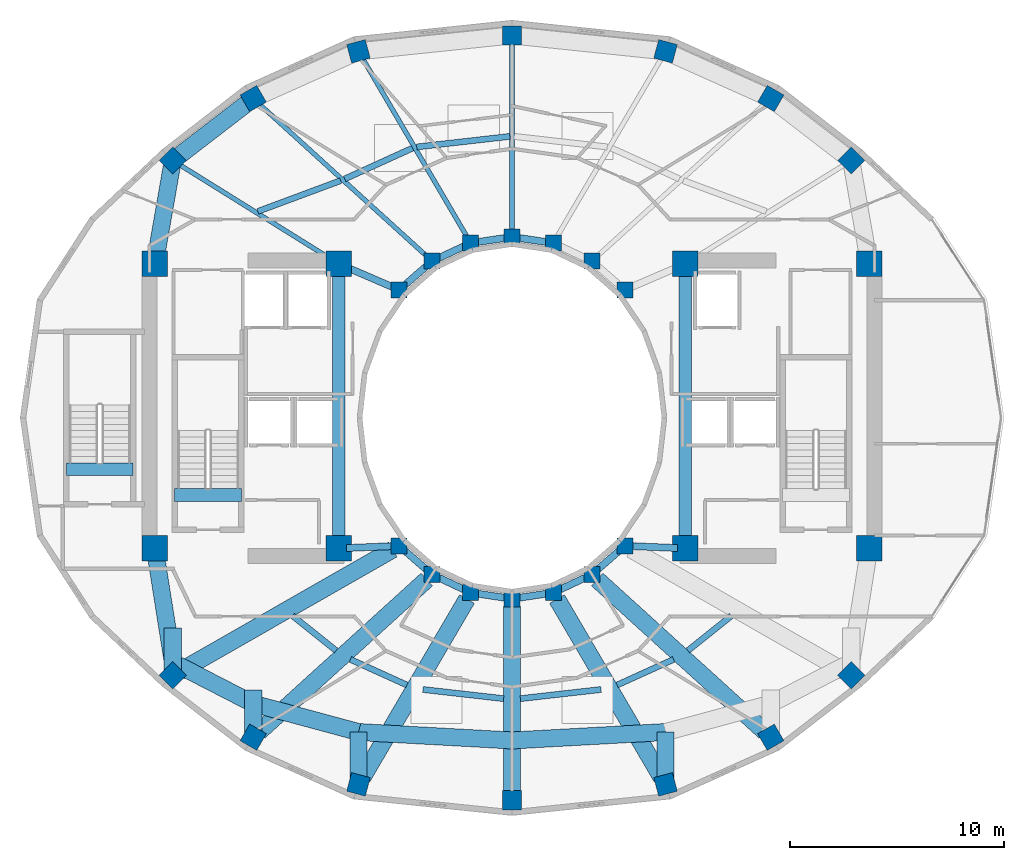
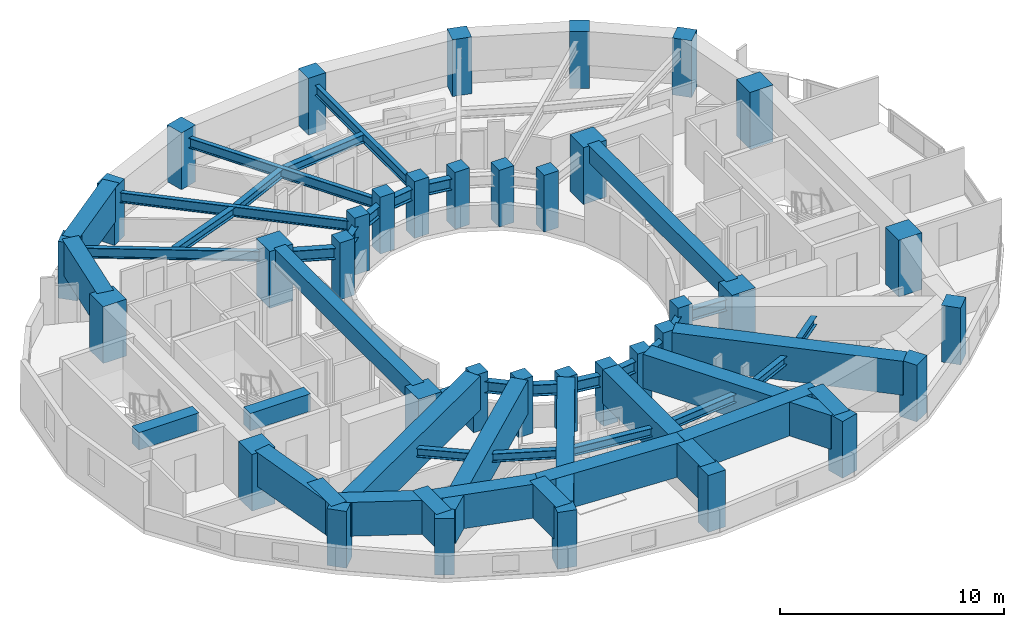
# One storey, part 1 of 13: 47 beams, 36 columns.
"""IFC4 building model written with IfcOpenShell, lengths in metres."""

from ifc_helpers import new_model, si_unit, direction, frame, origin, origin_2d, place, context, subcontext, project, spatial, rectangle, i_section, extrude, material, material_profile, profile_set, type_object, element, save


model = new_model("IFC4")

# Units and contexts
model_context = context("Model", 3, precision=1e-05, world=origin(), true_north=direction((0.0, 1.0)))
body_context = subcontext(model_context, "Body", "Model", "MODEL_VIEW")
ifc_project = project(units=[si_unit("LENGTHUNIT", "METRE"), si_unit("AREAUNIT", "SQUARE_METRE"), si_unit("VOLUMEUNIT", "CUBIC_METRE"), si_unit("PLANEANGLEUNIT", "RADIAN"), si_unit("MASSUNIT", "GRAM", prefix="KILO")], contexts=[model_context])

# Site, building, storey
site_placement = place(None, origin())
site = spatial("IfcSite", under=ifc_project, at=site_placement, CompositionType="ELEMENT")
building_placement = place(site_placement, origin())
building = spatial("IfcBuilding", under=site, at=building_placement, Name="Solvane Sanctuary Tower", CompositionType="ELEMENT")
storey_placement = place(building_placement, frame((0.0, 0.0, 149.800048828125)))
storey = spatial("IfcBuildingStorey", under=building, at=storey_placement, Name="L45", CompositionType="ELEMENT", Elevation=149.800048828125)

# Columns
ifc_material_1 = material(Name="Concrete C50/60", Category="concrete")
ifc_material_profile_1 = material_profile(ifc_material_1, rectangle(XDim=0.75, YDim=0.75, at=origin_2d()), Name="RC750X750")
ifc_profile_set_1 = profile_set([ifc_material_profile_1], Name="Concrete C50/60")
column_type_1 = type_object("IfcColumnType", Name="Column C-RING-Z3 RC750X750", PredefinedType="COLUMN", material=ifc_profile_set_1)
for number, where, z_axis, x_axis, name in (
    (1, (37.27490234375, 28.982177734375, 0.0), (0.0, 0.0, 1.0), (1.0, 0.0, 0.0), "L45 Inner Light-Well Ring Column IC01"),
    (2, (35.72998046875, 30.32666015625, 0.0), (0.0, 0.0, 1.0), (1.0, 0.0, 0.0), "L45 Inner Light-Well Ring Column IC02"),
    (3, (33.930908203125, 31.171630859375, 0.0), (0.0, 0.0, 1.0), (1.0, 0.0, 0.0), "L45 Inner Light-Well Ring Column IC03"),
    (4, (32.0, 31.4599609375, 0.0), (0.0, 0.0, 1.0), (1.0, 0.0, 0.0), "L45 Inner Light-Well Ring Column IC04"),
    (5, (30.069091796875, 31.171630859375, 0.0), (0.0, 0.0, 1.0), (1.0, 0.0, 0.0), "L45 Inner Light-Well Ring Column IC05"),
    (6, (28.27001953125, 30.32666015625, 0.0), (0.0, 0.0, 1.0), (1.0, 0.0, 0.0), "L45 Inner Light-Well Ring Column IC06"),
    (7, (26.72509765625, 28.982177734375, 0.0), (0.0, 0.0, 1.0), (1.0, 0.0, 0.0), "L45 Inner Light-Well Ring Column IC07"),
    (8, (26.72509765625, 17.017822265625, 0.0), (0.0, 0.0, 1.0), (1.0, 0.0, 0.0), "L45 Inner Light-Well Ring Column IC08"),
    (9, (28.27001953125, 15.67333984375, 0.0), (0.0, 0.0, 1.0), (1.0, 0.0, 0.0), "L45 Inner Light-Well Ring Column IC09"),
    (10, (30.069091796875, 14.828369140625, 0.0), (0.0, 0.0, 1.0), (1.0, 0.0, 0.0), "L45 Inner Light-Well Ring Column IC10"),
    (11, (32.0, 14.5400390625, 0.0), (0.0, 0.0, 1.0), (1.0, 0.0, 0.0), "L45 Inner Light-Well Ring Column IC11"),
    (12, (33.930908203125, 14.828369140625, 0.0), (0.0, 0.0, 1.0), (1.0, 0.0, 0.0), "L45 Inner Light-Well Ring Column IC12"),
    (13, (35.72998046875, 15.67333984375, 0.0), (0.0, 0.0, 1.0), (1.0, 0.0, 0.0), "L45 Inner Light-Well Ring Column IC13"),
    (14, (37.27490234375, 17.017822265625, 0.0), (0.0, 0.0, 1.0), (1.0, 0.0, 0.0), "L45 Inner Light-Well Ring Column IC14"),
):
    element("IfcColumn", number, at=place(storey_placement, frame(where, z_axis=z_axis, x_axis=x_axis)), inside=storey, type_object=column_type_1, Name=name, PredefinedType="COLUMN", context=body_context, shape_type="SweptSolid", body=[
        extrude(rectangle(XDim=0.75, YDim=0.75, at=origin_2d()), origin(), (0.0, 0.0, 1.0), 3.099853515625),
    ])
ifc_material_2 = material(Name="Concrete C70/85", Category="concrete")
ifc_material_profile_2 = material_profile(ifc_material_2, rectangle(XDim=1.199951171875, YDim=1.199951171875, at=origin_2d()), Name="RC1200X1200")
ifc_profile_set_2 = profile_set([ifc_material_profile_2], Name="Concrete C70/85")
column_type_2 = type_object("IfcColumnType", Name="Column C-TUBE-Z1 RC1200X1200", PredefinedType="COLUMN", material=ifc_profile_set_2)
for number, where, z_axis, x_axis, name in (
    (15, (15.300048828125, 16.89990234375, 0.0), (0.0, 0.0, 1.0), (1.0, 0.0, 0.0), "L45 Core Corner Column CW1"),
    (16, (23.89990234375, 16.89990234375, 0.0), (0.0, 0.0, 1.0), (1.0, 0.0, 0.0), "L45 Core Corner Column CW2"),
    (17, (23.89990234375, 30.199951171875, 0.0), (0.0, 0.0, 1.0), (1.0, 0.0, 0.0), "L45 Core Corner Column CW3"),
    (18, (15.300048828125, 30.199951171875, 0.0), (0.0, 0.0, 1.0), (1.0, 0.0, 0.0), "L45 Core Corner Column CW4"),
    (19, (40.10009765625, 16.89990234375, 0.0), (0.0, 0.0, 1.0), (1.0, 0.0, 0.0), "L45 Core Corner Column CE1"),
    (20, (48.699951171875, 16.89990234375, 0.0), (0.0, 0.0, 1.0), (1.0, 0.0, 0.0), "L45 Core Corner Column CE2"),
    (21, (48.699951171875, 30.199951171875, 0.0), (0.0, 0.0, 1.0), (1.0, 0.0, 0.0), "L45 Core Corner Column CE3"),
    (22, (40.10009765625, 30.199951171875, 0.0), (0.0, 0.0, 1.0), (1.0, 0.0, 0.0), "L45 Core Corner Column CE4"),
):
    element("IfcColumn", number, at=place(storey_placement, frame(where, z_axis=z_axis, x_axis=x_axis)), inside=storey, type_object=column_type_2, Name=name, PredefinedType="COLUMN", context=body_context, shape_type="SweptSolid", body=[
        extrude(rectangle(XDim=1.199951171875, YDim=1.199951171875, at=origin_2d()), origin(), (0.0, 0.0, 1.0), 3.099853515625),
    ])
ifc_material_3 = material(Name="Concrete C60/75", Category="concrete")
ifc_material_profile_3 = material_profile(ifc_material_3, rectangle(XDim=0.89990234375, YDim=0.89990234375, at=origin_2d()), Name="RC900X900")
ifc_profile_set_3 = profile_set([ifc_material_profile_3], Name="Concrete C60/75")
column_type_3 = type_object("IfcColumnType", Name="Column C-TUBE-Z3 RC900X900", PredefinedType="COLUMN", material=ifc_profile_set_3)
for number, where, z_axis, x_axis, name in (
    (23, (47.856689453125, 35.031005859375, 0.0), (0.0, 0.0, 1.0), (0.707106781187, 0.707106781187, 0.0), "L45 Perimeter Tube Column TC01"),
    (24, (44.09814453125, 37.927978515625, 0.0), (0.0, 0.0, 1.0), (0.5, 0.866025403784, 0.0), "L45 Perimeter Tube Column TC02"),
    (25, (39.17822265625, 40.134521484375, 0.0), (0.0, 0.0, 1.0), (0.258819045103, 0.965925826289, 0.0), "L45 Perimeter Tube Column TC03"),
    (26, (32.0, 40.8798828125, 0.0), (0.0, 0.0, 1.0), (0.0, 1.0, 0.0), "L45 Perimeter Tube Column TC04"),
    (27, (24.82177734375, 40.134521484375, 0.0), (0.0, 0.0, 1.0), (-0.258819045103, 0.965925826289, 0.0), "L45 Perimeter Tube Column TC05"),
    (28, (19.90185546875, 37.927978515625, 0.0), (0.0, 0.0, 1.0), (-0.5, 0.866025403784, 0.0), "L45 Perimeter Tube Column TC06"),
    (29, (16.143310546875, 35.031005859375, 0.0), (0.0, 0.0, 1.0), (-0.707106781187, 0.707106781187, 0.0), "L45 Perimeter Tube Column TC07"),
    (30, (16.143310546875, 10.968994140625, 0.0), (0.0, 0.0, 1.0), (-0.707106781187, -0.707106781187, 0.0), "L45 Perimeter Tube Column TC08"),
    (31, (19.90185546875, 8.072021484375, 0.0), (0.0, 0.0, 1.0), (-0.5, -0.866025403784, 0.0), "L45 Perimeter Tube Column TC09"),
    (32, (24.82177734375, 5.865478515625, 0.0), (0.0, 0.0, 1.0), (-0.258819045103, -0.965925826289, 0.0), "L45 Perimeter Tube Column TC10"),
    (33, (32.0, 5.1201171875, 0.0), (0.0, 0.0, 1.0), (0.0, -1.0, 0.0), "L45 Perimeter Tube Column TC11"),
    (34, (39.17822265625, 5.865478515625, 0.0), (0.0, 0.0, 1.0), (0.258819045103, -0.965925826289, 0.0), "L45 Perimeter Tube Column TC12"),
    (35, (44.09814453125, 8.072021484375, 0.0), (0.0, 0.0, 1.0), (0.5, -0.866025403784, 0.0), "L45 Perimeter Tube Column TC13"),
    (36, (47.856689453125, 10.968994140625, 0.0), (0.0, 0.0, 1.0), (0.707106781187, -0.707106781187, 0.0), "L45 Perimeter Tube Column TC14"),
):
    element("IfcColumn", number, at=place(storey_placement, frame(where, z_axis=z_axis, x_axis=x_axis)), inside=storey, type_object=column_type_3, Name=name, PredefinedType="COLUMN", context=body_context, shape_type="SweptSolid", body=[
        extrude(rectangle(XDim=0.89990234375, YDim=0.89990234375, at=origin_2d()), origin(), (0.0, 0.0, 1.0), 3.099853515625),
    ])

# Beams
ifc_material_profile_4 = material_profile(ifc_material_2, rectangle(XDim=0.60009765625, YDim=0.949951171875, at=origin_2d()), Name="RC600X950")
ifc_profile_set_4 = profile_set([ifc_material_profile_4], Name="Concrete C70/85")
beam_type_1 = type_object("IfcBeamType", Name="Beam B-COUPLE RC600X950", PredefinedType="LINTEL", material=ifc_profile_set_4)
for number, where, z_axis, x_axis, name in (
    (37, (23.89990234375, 17.35009765625, 2.625), (0.0, 1.0, 0.0), (-1.0, 0.0, 0.0), "L45 West Core Coupling Lintel"),
    (38, (40.10009765625, 17.35009765625, 2.625), (0.0, 1.0, 0.0), (-1.0, 0.0, 0.0), "L45 East Core Coupling Lintel"),
):
    element("IfcBeam", number, at=place(storey_placement, frame(where, z_axis=z_axis, x_axis=x_axis)), inside=storey, type_object=beam_type_1, Name=name, PredefinedType="LINTEL", context=body_context, shape_type="SweptSolid", body=[
        extrude(rectangle(XDim=0.60009765625, YDim=0.949951171875, at=origin_2d()), origin(), (0.0, 0.0, 1.0), 12.39990234375),
    ])
for number, where, z_axis, x_axis, name in (
    (39, (16.22998046875, 19.399169921875, 2.625), (1.0, 0.0, 0.0), (0.0, 1.0, 0.0), "L45 ST-1 Stair Floor Landing Trimmer"),
    (40, (11.169921875, 20.59912109375, 2.625), (1.0, 0.0, 0.0), (0.0, 1.0, 0.0), "L45 ST-3 Stair Floor Landing Trimmer"),
):
    element("IfcBeam", number, at=place(storey_placement, frame(where, z_axis=z_axis, x_axis=x_axis)), inside=storey, type_object=beam_type_1, Name=name, PredefinedType="LINTEL", context=body_context, shape_type="SweptSolid", body=[
        extrude(rectangle(XDim=0.60009765625, YDim=0.949951171875, at=origin_2d()), origin(), (0.0, 0.0, 1.0), 3.1201171875),
    ])
ifc_material_4 = material(Name="Steel ASTM A992 Grade 50", Category="steel")
ifc_material_profile_5 = material_profile(ifc_material_4, i_section(OverallWidth=0.214111328125, OverallDepth=0.549072265625, WebThickness=0.0146484375, FlangeThickness=0.023681640625, FilletRadius=0.014892578125, at=origin_2d()), Name="W21X93")
ifc_profile_set_5 = profile_set([ifc_material_profile_5], Name="Steel ASTM A992 Grade 50")
beam_type_2 = type_object("IfcBeamType", Name="Beam B-RAD-Z3 W21X93", PredefinedType="JOIST", material=ifc_profile_set_5)
beam_1_placement = place(storey_placement, frame((32.0, 31.739990234375, 2.323486328125), z_axis=(0.0, 1.0, 0.0), x_axis=(-1.0, 0.0, 0.0)))
element("IfcBeam", 41, at=beam_1_placement, inside=storey, type_object=beam_type_2, Name="L45 Radial Composite Floor Beam 04", PredefinedType="JOIST", context=body_context, shape_type="SweptSolid", body=[
    extrude(i_section(OverallWidth=0.214111328125, OverallDepth=0.549072265625, WebThickness=0.0146484375, FlangeThickness=0.023681640625, FilletRadius=0.014892578125, at=origin_2d()), origin(), (0.0, 0.0, 1.0), 8.860107421875),
])
beam_2_placement = place(storey_placement, frame((29.927734375, 31.413330078125, 2.323486328125), z_axis=(-0.505243742555, 0.862976686017, 0.0), x_axis=(-0.862976686017, -0.505243742555, 0.0)))
element("IfcBeam", 42, at=beam_2_placement, inside=storey, type_object=beam_type_2, Name="L45 Radial Composite Floor Beam 05", PredefinedType="JOIST", context=body_context, shape_type="SweptSolid", body=[
    extrude(i_section(OverallWidth=0.214111328125, OverallDepth=0.549072265625, WebThickness=0.0146484375, FlangeThickness=0.023681640625, FilletRadius=0.014892578125, at=origin_2d()), origin(), (0.0, 0.0, 1.0), 9.826171875),
])
beam_3_placement = place(storey_placement, frame((28.062744140625, 30.514892578125, 2.323486328125), z_axis=(-0.74020423772, 0.672382098558, 0.0), x_axis=(-0.672382098558, -0.74020423772, 0.0)))
element("IfcBeam", 43, at=beam_3_placement, inside=storey, type_object=beam_type_2, Name="L45 Radial Composite Floor Beam 06", PredefinedType="JOIST", context=body_context, shape_type="SweptSolid", body=[
    extrude(i_section(OverallWidth=0.214111328125, OverallDepth=0.549072265625, WebThickness=0.0146484375, FlangeThickness=0.023681640625, FilletRadius=0.014892578125, at=origin_2d()), origin(), (0.0, 0.0, 1.0), 10.7451171875),
])
beam_4_placement = place(storey_placement, frame((23.594482421875, 30.390380859375, 2.323486328125), z_axis=(-0.84882685523, 0.528670946658, 0.0), x_axis=(-0.528670946658, -0.84882685523, 0.0)))
element("IfcBeam", 44, at=beam_4_placement, inside=storey, type_object=beam_type_2, Name="L45 Radial Composite Floor Beam 07", PredefinedType="JOIST", context=body_context, shape_type="SweptSolid", body=[
    extrude(i_section(OverallWidth=0.214111328125, OverallDepth=0.549072265625, WebThickness=0.0146484375, FlangeThickness=0.023681640625, FilletRadius=0.014892578125, at=origin_2d()), origin(), (0.0, 0.0, 1.0), 8.498046875),
])
ifc_material_profile_6 = material_profile(ifc_material_4, i_section(OverallWidth=0.324951171875, OverallDepth=0.615966796875, WebThickness=0.013916015625, FlangeThickness=0.021484375, FilletRadius=0.01611328125, at=origin_2d()), Name="W24X117")
ifc_profile_set_6 = profile_set([ifc_material_profile_6], Name="Steel ASTM A992 Grade 50")
beam_type_3 = type_object("IfcBeamType", Name="Beam B-RING-IN2 W24X117", PredefinedType="BEAM", material=ifc_profile_set_6)
beam_5_placement = place(storey_placement, frame((24.230712890625, 30.0576171875, 2.2900390625), z_axis=(0.918264067649, -0.395968561966, 0.0), x_axis=(0.395968561966, 0.918264067649, 0.0)))
element("IfcBeam", 45, at=beam_5_placement, inside=storey, type_object=beam_type_3, Name="L45 Inner Light-Well Ring Beam CW3-IC07", PredefinedType="BEAM", context=body_context, shape_type="SweptSolid", body=[
    extrude(i_section(OverallWidth=0.324951171875, OverallDepth=0.615966796875, WebThickness=0.013916015625, FlangeThickness=0.021484375, FilletRadius=0.01611328125, at=origin_2d()), origin(), (0.0, 0.0, 1.0), 2.371337890625),
])
beam_6_placement = place(storey_placement, frame((26.9853515625, 29.20849609375, 2.2900390625), z_axis=(0.754311313851, 0.656516901379, 0.0), x_axis=(-0.656516901379, 0.754311313851, 0.0)))
element("IfcBeam", 46, at=beam_6_placement, inside=storey, type_object=beam_type_3, Name="L45 Inner Light-Well Ring Beam IC07-IC06", PredefinedType="BEAM", context=body_context, shape_type="SweptSolid", body=[
    extrude(i_section(OverallWidth=0.324951171875, OverallDepth=0.615966796875, WebThickness=0.013916015625, FlangeThickness=0.021484375, FilletRadius=0.01611328125, at=origin_2d()), origin(), (0.0, 0.0, 1.0), 1.358154296875),
])
beam_7_placement = place(storey_placement, frame((28.582275390625, 30.473388671875, 2.2900390625), z_axis=(0.9051808128, 0.425026700502, 0.0), x_axis=(-0.425026700502, 0.9051808128, 0.0)))
element("IfcBeam", 47, at=beam_7_placement, inside=storey, type_object=beam_type_3, Name="L45 Inner Light-Well Ring Beam IC06-IC05", PredefinedType="BEAM", context=body_context, shape_type="SweptSolid", body=[
    extrude(i_section(OverallWidth=0.324951171875, OverallDepth=0.615966796875, WebThickness=0.013916015625, FlangeThickness=0.021484375, FilletRadius=0.01611328125, at=origin_2d()), origin(), (0.0, 0.0, 1.0), 1.297607421875),
])
for number, where, z_axis, x_axis, name in (
    (48, (30.410400390625, 31.22265625, 2.2900390625), (0.989019905763, 0.147782360259, 0.0), (-0.147782360259, 0.989019905763, 0.0), "L45 Inner Light-Well Ring Beam IC05-IC04"),
    (49, (32.34130859375, 31.4091796875, 2.2900390625), (0.989019905763, -0.147782360259, 0.0), (0.147782360259, 0.989019905763, 0.0), "L45 Inner Light-Well Ring Beam IC04-IC03"),
):
    element("IfcBeam", number, at=place(storey_placement, frame(where, z_axis=z_axis, x_axis=x_axis)), inside=storey, type_object=beam_type_3, Name=name, PredefinedType="BEAM", context=body_context, shape_type="SweptSolid", body=[
        extrude(i_section(OverallWidth=0.324951171875, OverallDepth=0.615966796875, WebThickness=0.013916015625, FlangeThickness=0.021484375, FilletRadius=0.01611328125, at=origin_2d()), origin(), (0.0, 0.0, 1.0), 1.26220703125),
    ])
beam_8_placement = place(storey_placement, frame((24.259765625, 16.9150390625, 2.2900390625), z_axis=(0.999132674336, 0.041640113759, 0.0), x_axis=(-0.041640113759, 0.999132674336, 0.0)))
element("IfcBeam", 50, at=beam_8_placement, inside=storey, type_object=beam_type_3, Name="L45 Inner Light-Well Ring Beam CW2-IC08", PredefinedType="BEAM", context=body_context, shape_type="SweptSolid", body=[
    extrude(i_section(OverallWidth=0.324951171875, OverallDepth=0.615966796875, WebThickness=0.013916015625, FlangeThickness=0.021484375, FilletRadius=0.01611328125, at=origin_2d()), origin(), (0.0, 0.0, 1.0), 2.12255859375),
])
beam_9_placement = place(storey_placement, frame((26.9853515625, 16.79150390625, 2.2900390625), z_axis=(0.754311313851, -0.656516901379, 0.0), x_axis=(0.656516901379, 0.754311313851, 0.0)))
element("IfcBeam", 51, at=beam_9_placement, inside=storey, type_object=beam_type_3, Name="L45 Inner Light-Well Ring Beam IC08-IC09", PredefinedType="BEAM", context=body_context, shape_type="SweptSolid", body=[
    extrude(i_section(OverallWidth=0.324951171875, OverallDepth=0.615966796875, WebThickness=0.013916015625, FlangeThickness=0.021484375, FilletRadius=0.01611328125, at=origin_2d()), origin(), (0.0, 0.0, 1.0), 1.358154296875),
])
beam_10_placement = place(storey_placement, frame((28.582275390625, 15.526611328125, 2.2900390625), z_axis=(0.9051808128, -0.425026700502, 0.0), x_axis=(0.425026700502, 0.9051808128, 0.0)))
element("IfcBeam", 52, at=beam_10_placement, inside=storey, type_object=beam_type_3, Name="L45 Inner Light-Well Ring Beam IC09-IC10", PredefinedType="BEAM", context=body_context, shape_type="SweptSolid", body=[
    extrude(i_section(OverallWidth=0.324951171875, OverallDepth=0.615966796875, WebThickness=0.013916015625, FlangeThickness=0.021484375, FilletRadius=0.01611328125, at=origin_2d()), origin(), (0.0, 0.0, 1.0), 1.297607421875),
])
for number, where, z_axis, x_axis, name in (
    (53, (30.410400390625, 14.77734375, 2.2900390625), (0.989019905763, -0.147782360259, 0.0), (0.147782360259, 0.989019905763, 0.0), "L45 Inner Light-Well Ring Beam IC10-IC11"),
    (54, (32.34130859375, 14.5908203125, 2.2900390625), (0.989019905763, 0.147782360259, 0.0), (-0.147782360259, 0.989019905763, 0.0), "L45 Inner Light-Well Ring Beam IC11-IC12"),
):
    element("IfcBeam", number, at=place(storey_placement, frame(where, z_axis=z_axis, x_axis=x_axis)), inside=storey, type_object=beam_type_3, Name=name, PredefinedType="BEAM", context=body_context, shape_type="SweptSolid", body=[
        extrude(i_section(OverallWidth=0.324951171875, OverallDepth=0.615966796875, WebThickness=0.013916015625, FlangeThickness=0.021484375, FilletRadius=0.01611328125, at=origin_2d()), origin(), (0.0, 0.0, 1.0), 1.26220703125),
    ])
beam_11_placement = place(storey_placement, frame((34.2431640625, 14.97509765625, 2.2900390625), z_axis=(0.9051808128, 0.425026700502, 0.0), x_axis=(-0.425026700502, 0.9051808128, 0.0)))
element("IfcBeam", 55, at=beam_11_placement, inside=storey, type_object=beam_type_3, Name="L45 Inner Light-Well Ring Beam IC12-IC13", PredefinedType="BEAM", context=body_context, shape_type="SweptSolid", body=[
    extrude(i_section(OverallWidth=0.324951171875, OverallDepth=0.615966796875, WebThickness=0.013916015625, FlangeThickness=0.021484375, FilletRadius=0.01611328125, at=origin_2d()), origin(), (0.0, 0.0, 1.0), 1.297607421875),
])
beam_12_placement = place(storey_placement, frame((35.990234375, 15.89990234375, 2.2900390625), z_axis=(0.754311313851, 0.656516901379, 0.0), x_axis=(-0.656516901379, 0.754311313851, 0.0)))
element("IfcBeam", 56, at=beam_12_placement, inside=storey, type_object=beam_type_3, Name="L45 Inner Light-Well Ring Beam IC13-IC14", PredefinedType="BEAM", context=body_context, shape_type="SweptSolid", body=[
    extrude(i_section(OverallWidth=0.324951171875, OverallDepth=0.615966796875, WebThickness=0.013916015625, FlangeThickness=0.021484375, FilletRadius=0.01611328125, at=origin_2d()), origin(), (0.0, 0.0, 1.0), 1.358154296875),
])
beam_13_placement = place(storey_placement, frame((37.61962890625, 17.00341796875, 2.2900390625), z_axis=(0.999132674336, -0.041640113759, 0.0), x_axis=(0.041640113759, 0.999132674336, 0.0)))
element("IfcBeam", 57, at=beam_13_placement, inside=storey, type_object=beam_type_3, Name="L45 Inner Light-Well Ring Beam IC14-CE1", PredefinedType="BEAM", context=body_context, shape_type="SweptSolid", body=[
    extrude(i_section(OverallWidth=0.324951171875, OverallDepth=0.615966796875, WebThickness=0.013916015625, FlangeThickness=0.021484375, FilletRadius=0.01611328125, at=origin_2d()), origin(), (0.0, 0.0, 1.0), 2.12255859375),
])
ifc_material_profile_7 = material_profile(ifc_material_4, i_section(OverallWidth=0.280029296875, OverallDepth=0.462890625, WebThickness=0.0107421875, FlangeThickness=0.017333984375, FilletRadius=0.013916015625, at=origin_2d()), Name="W18X76")
ifc_profile_set_7 = profile_set([ifc_material_profile_7], Name="Steel ASTM A992 Grade 50")
beam_type_4 = type_object("IfcBeamType", Name="Beam B-SEC-JOIST W18X76", PredefinedType="JOIST", material=ifc_profile_set_7)
beam_14_placement = place(storey_placement, frame((20.1171875, 32.651123046875, 2.366455078125), z_axis=(0.937265401165, 0.348616648741, 0.0), x_axis=(-0.348616648741, 0.937265401165, 0.0)))
element("IfcBeam", 58, at=beam_14_placement, inside=storey, type_object=beam_type_4, Name="L45 Secondary Circumferential Joist 07-06", PredefinedType="JOIST", context=body_context, shape_type="SweptSolid", body=[
    extrude(i_section(OverallWidth=0.280029296875, OverallDepth=0.462890625, WebThickness=0.0107421875, FlangeThickness=0.017333984375, FilletRadius=0.013916015625, at=origin_2d()), origin(), (0.0, 0.0, 1.0), 4.132568359375),
])
beam_15_placement = place(storey_placement, frame((24.178955078125, 34.16943359375, 2.366455078125), z_axis=(0.910488773031, 0.413533788443, 0.0), x_axis=(-0.413533788443, 0.910488773031, 0.0)))
element("IfcBeam", 59, at=beam_15_placement, inside=storey, type_object=beam_type_4, Name="L45 Secondary Circumferential Joist 06-05", PredefinedType="JOIST", context=body_context, shape_type="SweptSolid", body=[
    extrude(i_section(OverallWidth=0.280029296875, OverallDepth=0.462890625, WebThickness=0.0107421875, FlangeThickness=0.017333984375, FilletRadius=0.013916015625, at=origin_2d()), origin(), (0.0, 0.0, 1.0), 3.485595703125),
])
beam_16_placement = place(storey_placement, frame((27.546875, 35.66455078125, 2.366455078125), z_axis=(0.993621305354, 0.112768353477, 0.0), x_axis=(-0.112768353477, 0.993621305354, 0.0)))
element("IfcBeam", 60, at=beam_16_placement, inside=storey, type_object=beam_type_4, Name="L45 Secondary Circumferential Joist 05-04", PredefinedType="JOIST", context=body_context, shape_type="SweptSolid", body=[
    extrude(i_section(OverallWidth=0.280029296875, OverallDepth=0.462890625, WebThickness=0.0107421875, FlangeThickness=0.017333984375, FilletRadius=0.013916015625, at=origin_2d()), origin(), (0.0, 0.0, 1.0), 4.379638671875),
])
beam_17_placement = place(storey_placement, frame((21.74267578125, 13.74658203125, 2.366455078125), z_axis=(0.781005915464, -0.624523626463, 0.0), x_axis=(0.624523626463, 0.781005915464, 0.0)))
element("IfcBeam", 61, at=beam_17_placement, inside=storey, type_object=beam_type_4, Name="L45 Secondary Circumferential Joist 08-09", PredefinedType="JOIST", context=body_context, shape_type="SweptSolid", body=[
    extrude(i_section(OverallWidth=0.280029296875, OverallDepth=0.462890625, WebThickness=0.0107421875, FlangeThickness=0.017333984375, FilletRadius=0.013916015625, at=origin_2d()), origin(), (0.0, 0.0, 1.0), 2.60546875),
])
beam_18_placement = place(storey_placement, frame((24.445556640625, 11.709228515625, 2.366455078125), z_axis=(0.9105221081, -0.413460385842, 0.0), x_axis=(0.413460385842, 0.9105221081, 0.0)))
element("IfcBeam", 62, at=beam_18_placement, inside=storey, type_object=beam_type_4, Name="L45 Secondary Circumferential Joist 09-10", PredefinedType="JOIST", context=body_context, shape_type="SweptSolid", body=[
    extrude(i_section(OverallWidth=0.280029296875, OverallDepth=0.462890625, WebThickness=0.0107421875, FlangeThickness=0.017333984375, FilletRadius=0.013916015625, at=origin_2d()), origin(), (0.0, 0.0, 1.0), 2.89990234375),
])
for number, where, z_axis, x_axis, name in (
    (63, (27.837890625, 10.30224609375, 2.366455078125), (0.99362361907, -0.112747965065, 0.0), (0.112747965065, 0.99362361907, 0.0), "L45 Secondary Circumferential Joist 10-11"),
    (64, (32.392578125, 9.87451171875, 2.366455078125), (0.99362361907, 0.112747965065, 0.0), (-0.112747965065, 0.99362361907, 0.0), "L45 Secondary Circumferential Joist 11-12"),
):
    element("IfcBeam", number, at=place(storey_placement, frame(where, z_axis=z_axis, x_axis=x_axis)), inside=storey, type_object=beam_type_4, Name=name, PredefinedType="JOIST", context=body_context, shape_type="SweptSolid", body=[
        extrude(i_section(OverallWidth=0.280029296875, OverallDepth=0.462890625, WebThickness=0.0107421875, FlangeThickness=0.017333984375, FilletRadius=0.013916015625, at=origin_2d()), origin(), (0.0, 0.0, 1.0), 3.793701171875),
    ])
beam_19_placement = place(storey_placement, frame((36.9140625, 10.510009765625, 2.366455078125), z_axis=(0.910458712162, 0.413599967901, 0.0), x_axis=(-0.413599967901, 0.910458712162, 0.0)))
element("IfcBeam", 65, at=beam_19_placement, inside=storey, type_object=beam_type_4, Name="L45 Secondary Circumferential Joist 12-13", PredefinedType="JOIST", context=body_context, shape_type="SweptSolid", body=[
    extrude(i_section(OverallWidth=0.280029296875, OverallDepth=0.462890625, WebThickness=0.0107421875, FlangeThickness=0.017333984375, FilletRadius=0.013916015625, at=origin_2d()), origin(), (0.0, 0.0, 1.0), 2.900146484375),
])
beam_20_placement = place(storey_placement, frame((40.22265625, 12.119384765625, 2.366455078125), z_axis=(0.780969364895, 0.624569332497, 0.0), x_axis=(-0.624569332497, 0.780969364895, 0.0)))
element("IfcBeam", 66, at=beam_20_placement, inside=storey, type_object=beam_type_4, Name="L45 Secondary Circumferential Joist 13-14", PredefinedType="JOIST", context=body_context, shape_type="SweptSolid", body=[
    extrude(i_section(OverallWidth=0.280029296875, OverallDepth=0.462890625, WebThickness=0.0107421875, FlangeThickness=0.017333984375, FilletRadius=0.013916015625, at=origin_2d()), origin(), (0.0, 0.0, 1.0), 2.605224609375),
])
ifc_material_profile_8 = material_profile(ifc_material_2, rectangle(XDim=0.800048828125, YDim=1.85009765625, at=origin_2d()), Name="RC800X1850")
ifc_profile_set_8 = profile_set([ifc_material_profile_8], Name="Concrete C70/85")
beam_type_5 = type_object("IfcBeamType", Name="Beam B-XFER-BLK RC800X1850", PredefinedType="BEAM", material=ifc_profile_set_8)
beam_21_placement = place(storey_placement, frame((26.425537109375, 16.8466796875, 2.175048828125), z_axis=(-0.868163254615, -0.496278715377, 0.0), x_axis=(0.496278715377, -0.868163254615, 0.0)))
element("IfcBeam", 67, at=beam_21_placement, inside=storey, type_object=beam_type_5, Name="L45 Block-Shift Radial Transfer Girder 08A", PredefinedType="BEAM", context=body_context, shape_type="SweptSolid", body=[
    extrude(rectangle(XDim=0.800048828125, YDim=1.85009765625, at=origin_2d()), origin(), (0.0, 0.0, 1.0), 11.4736328125),
])
beam_22_placement = place(storey_placement, frame((16.143310546875, 11.018798828125, 2.175048828125), z_axis=(0.0, 1.0, 0.0), x_axis=(-1.0, 0.0, 0.0)))
element("IfcBeam", 68, at=beam_22_placement, inside=storey, type_object=beam_type_5, Name="L45 Block-Shift Transfer Tie 08B", PredefinedType="BEAM", context=body_context, shape_type="SweptSolid", body=[
    extrude(rectangle(XDim=0.800048828125, YDim=1.85009765625, at=origin_2d()), origin(), (0.0, 0.0, 1.0), 2.150146484375),
])
beam_23_placement = place(storey_placement, frame((28.0146484375, 15.44140625, 2.175048828125), z_axis=(-0.740204975918, -0.672381285898, 0.0), x_axis=(0.672381285898, -0.740204975918, 0.0)))
element("IfcBeam", 69, at=beam_23_placement, inside=storey, type_object=beam_type_5, Name="L45 Block-Shift Radial Transfer Girder 09A", PredefinedType="BEAM", context=body_context, shape_type="SweptSolid", body=[
    extrude(rectangle(XDim=0.800048828125, YDim=1.85009765625, at=origin_2d()), origin(), (0.0, 0.0, 1.0), 10.590087890625),
])
beam_24_placement = place(storey_placement, frame((19.90185546875, 8.1220703125, 2.175048828125), z_axis=(0.0, 1.0, 0.0), x_axis=(-1.0, 0.0, 0.0)))
element("IfcBeam", 70, at=beam_24_placement, inside=storey, type_object=beam_type_5, Name="L45 Block-Shift Transfer Tie 09B", PredefinedType="BEAM", context=body_context, shape_type="SweptSolid", body=[
    extrude(rectangle(XDim=0.800048828125, YDim=1.85009765625, at=origin_2d()), origin(), (0.0, 0.0, 1.0), 2.14990234375),
])
beam_25_placement = place(storey_placement, frame((29.89501953125, 14.530517578125, 2.175048828125), z_axis=(-0.50527045732, -0.862961044868, 0.0), x_axis=(0.862961044868, -0.50527045732, 0.0)))
element("IfcBeam", 71, at=beam_25_placement, inside=storey, type_object=beam_type_5, Name="L45 Block-Shift Radial Transfer Girder 10A", PredefinedType="BEAM", context=body_context, shape_type="SweptSolid", body=[
    extrude(rectangle(XDim=0.800048828125, YDim=1.85009765625, at=origin_2d()), origin(), (0.0, 0.0, 1.0), 9.6708984375),
])
beam_26_placement = place(storey_placement, frame((24.82177734375, 5.915283203125, 2.175048828125), z_axis=(0.0, 1.0, 0.0), x_axis=(-1.0, 0.0, 0.0)))
element("IfcBeam", 72, at=beam_26_placement, inside=storey, type_object=beam_type_5, Name="L45 Block-Shift Transfer Tie 10B", PredefinedType="BEAM", context=body_context, shape_type="SweptSolid", body=[
    extrude(rectangle(XDim=0.800048828125, YDim=1.85009765625, at=origin_2d()), origin(), (0.0, 0.0, 1.0), 2.39794921875),
])
beam_27_placement = place(storey_placement, frame((32.0, 14.195068359375, 2.175048828125), z_axis=(0.0, -1.0, 0.0), x_axis=(1.0, 0.0, 0.0)))
element("IfcBeam", 73, at=beam_27_placement, inside=storey, type_object=beam_type_5, Name="L45 Block-Shift Radial Transfer Girder 11A", PredefinedType="BEAM", context=body_context, shape_type="SweptSolid", body=[
    extrude(rectangle(XDim=0.800048828125, YDim=1.85009765625, at=origin_2d()), origin(), (0.0, 0.0, 1.0), 8.7451171875),
])
beam_28_placement = place(storey_placement, frame((34.10498046875, 14.530517578125, 2.175048828125), z_axis=(0.50527045732, -0.862961044868, 0.0), x_axis=(0.862961044868, 0.50527045732, 0.0)))
element("IfcBeam", 74, at=beam_28_placement, inside=storey, type_object=beam_type_5, Name="L45 Block-Shift Radial Transfer Girder 12A", PredefinedType="BEAM", context=body_context, shape_type="SweptSolid", body=[
    extrude(rectangle(XDim=0.800048828125, YDim=1.85009765625, at=origin_2d()), origin(), (0.0, 0.0, 1.0), 9.6708984375),
])
beam_29_placement = place(storey_placement, frame((39.17822265625, 5.915283203125, 2.175048828125), z_axis=(0.0, 1.0, 0.0), x_axis=(-1.0, 0.0, 0.0)))
element("IfcBeam", 75, at=beam_29_placement, inside=storey, type_object=beam_type_5, Name="L45 Block-Shift Transfer Tie 12B", PredefinedType="BEAM", context=body_context, shape_type="SweptSolid", body=[
    extrude(rectangle(XDim=0.800048828125, YDim=1.85009765625, at=origin_2d()), origin(), (0.0, 0.0, 1.0), 2.39794921875),
])
beam_30_placement = place(storey_placement, frame((35.9853515625, 15.44140625, 2.175048828125), z_axis=(0.740204975918, -0.672381285898, 0.0), x_axis=(0.672381285898, 0.740204975918, 0.0)))
element("IfcBeam", 76, at=beam_30_placement, inside=storey, type_object=beam_type_5, Name="L45 Block-Shift Radial Transfer Girder 13A", PredefinedType="BEAM", context=body_context, shape_type="SweptSolid", body=[
    extrude(rectangle(XDim=0.800048828125, YDim=1.85009765625, at=origin_2d()), origin(), (0.0, 0.0, 1.0), 10.590087890625),
])
beam_31_placement = place(storey_placement, frame((15.36181640625, 30.5546875, 2.175048828125), z_axis=(0.171982816413, 0.98509994968, 0.0), x_axis=(-0.98509994968, 0.171982816413, 0.0)))
element("IfcBeam", 77, at=beam_31_placement, inside=storey, type_object=beam_type_5, Name="L45 Perimeter Step Transfer Ring CW4-NTC07", PredefinedType="BEAM", context=body_context, shape_type="SweptSolid", body=[
    extrude(rectangle(XDim=0.800048828125, YDim=1.85009765625, at=origin_2d()), origin(), (0.0, 0.0, 1.0), 4.5439453125),
])
beam_32_placement = place(storey_placement, frame((16.143310546875, 35.031005859375, 2.175048828125), z_axis=(0.792034554649, 0.610476260179, 0.0), x_axis=(-0.610476260179, 0.792034554649, 0.0)))
element("IfcBeam", 78, at=beam_32_placement, inside=storey, type_object=beam_type_5, Name="L45 Perimeter Step Transfer Ring NTC07-NTC06", PredefinedType="BEAM", context=body_context, shape_type="SweptSolid", body=[
    extrude(rectangle(XDim=0.800048828125, YDim=1.85009765625, at=origin_2d()), origin(), (0.0, 0.0, 1.0), 4.745361328125),
])
beam_33_placement = place(storey_placement, frame((15.356201171875, 16.54443359375, 2.175048828125), z_axis=(0.156393503441, -0.987694827404, 0.0), x_axis=(0.987694827404, 0.156393503441, 0.0)))
element("IfcBeam", 79, at=beam_33_placement, inside=storey, type_object=beam_type_5, Name="L45 Perimeter Step Transfer Ring CW1-NTC08", PredefinedType="BEAM", context=body_context, shape_type="SweptSolid", body=[
    extrude(rectangle(XDim=0.800048828125, YDim=1.85009765625, at=origin_2d()), origin(), (0.0, 0.0, 1.0), 5.032958984375),
])
beam_34_placement = place(storey_placement, frame((16.143310546875, 11.573486328125, 2.175048828125), z_axis=(0.889297870953, -0.457328434189, 0.0), x_axis=(0.457328434189, 0.889297870953, 0.0)))
element("IfcBeam", 80, at=beam_34_placement, inside=storey, type_object=beam_type_5, Name="L45 Perimeter Step Transfer Ring NTC08-NTC09", PredefinedType="BEAM", context=body_context, shape_type="SweptSolid", body=[
    extrude(rectangle(XDim=0.800048828125, YDim=1.85009765625, at=origin_2d()), origin(), (0.0, 0.0, 1.0), 4.226318359375),
])
beam_35_placement = place(storey_placement, frame((19.90185546875, 9.640625, 2.175048828125), z_axis=(0.965477774792, -0.260485443705, 0.0), x_axis=(0.260485443705, 0.965477774792, 0.0)))
element("IfcBeam", 81, at=beam_35_placement, inside=storey, type_object=beam_type_5, Name="L45 Perimeter Step Transfer Ring NTC09-NTC10", PredefinedType="BEAM", context=body_context, shape_type="SweptSolid", body=[
    extrude(rectangle(XDim=0.800048828125, YDim=1.85009765625, at=origin_2d()), origin(), (0.0, 0.0, 1.0), 5.095947265625),
])
for number, where, z_axis, x_axis, name in (
    (82, (24.82177734375, 8.313232421875, 2.175048828125), (0.998502279385, -0.054710127613, 0.0), (0.054710127613, 0.998502279385, 0.0), "L45 Perimeter Step Transfer Ring NTC10-NTC11"),
    (83, (32.0, 7.919921875, 2.175048828125), (0.998502279385, 0.054710127613, 0.0), (-0.054710127613, 0.998502279385, 0.0), "L45 Perimeter Step Transfer Ring NTC11-NTC12"),
):
    element("IfcBeam", number, at=place(storey_placement, frame(where, z_axis=z_axis, x_axis=x_axis)), inside=storey, type_object=beam_type_5, Name=name, PredefinedType="BEAM", context=body_context, shape_type="SweptSolid", body=[
        extrude(rectangle(XDim=0.800048828125, YDim=1.85009765625, at=origin_2d()), origin(), (0.0, 0.0, 1.0), 7.18896484375),
    ])

save(model, "model.ifc")
